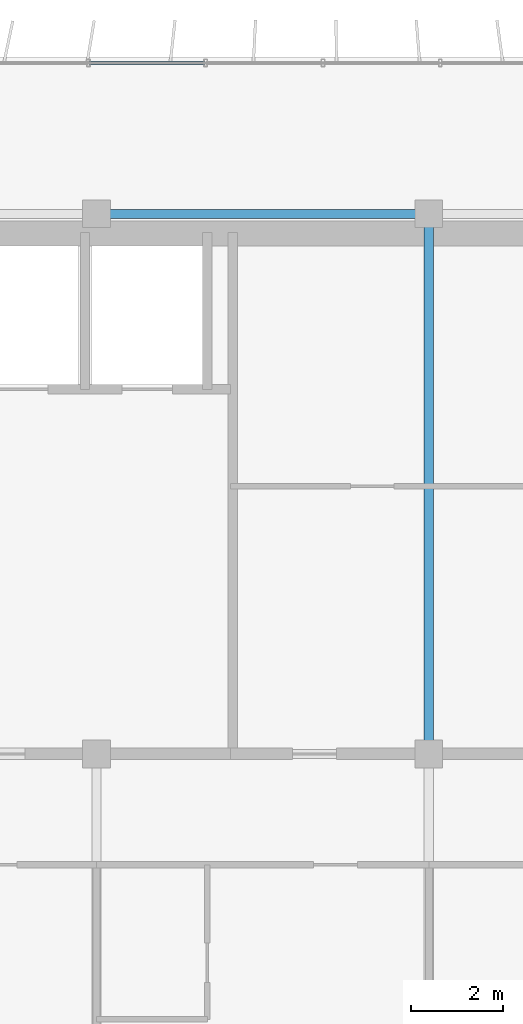
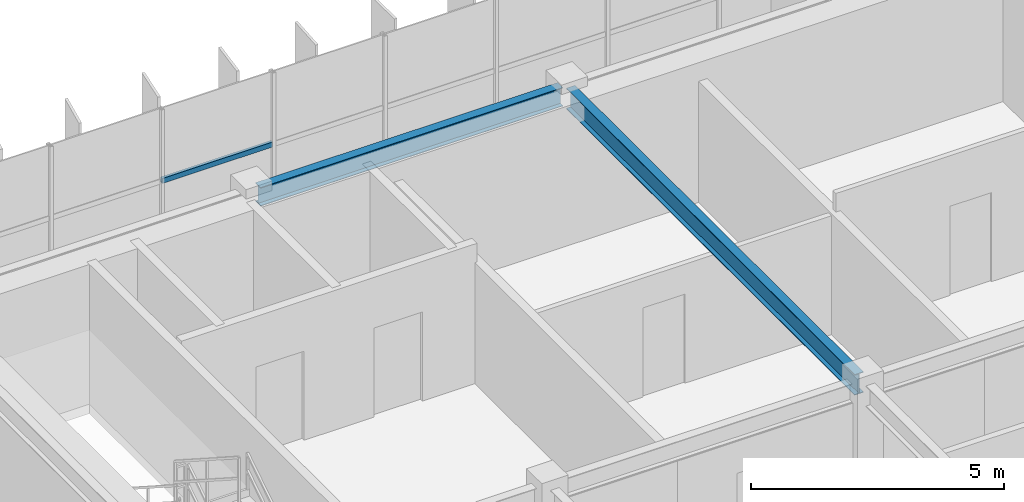
# One storey, part 7 of 23: 2 beams, 1 member, 1 element without a shape of its own.
"""IFC4 building model written with IfcOpenShell, lengths in metres."""

from ifc_helpers import new_model, si_unit, direction, frame, origin, origin_2d, place, context, subcontext, project, spatial, hollow_rectangle, i_section, extrude, source, transform, mapped, material, material_profile, profile_set, type_object, element, aggregate, save


model = new_model("IFC4")

# Units and contexts
model_context = context("Model", 3, precision=1e-05, world=origin(), true_north=direction((0.0, 1.0)))
body_context = subcontext(model_context, "Body", "Model", "MODEL_VIEW")
ifc_project = project(units=[si_unit("LENGTHUNIT", "METRE"), si_unit("AREAUNIT", "SQUARE_METRE"), si_unit("VOLUMEUNIT", "CUBIC_METRE"), si_unit("PLANEANGLEUNIT", "RADIAN"), si_unit("MASSUNIT", "GRAM", prefix="KILO")], contexts=[model_context])

# Site, building, storey
site_placement = place(None, origin())
site = spatial("IfcSite", under=ifc_project, at=site_placement, CompositionType="ELEMENT")
building_placement = place(site_placement, origin())
building = spatial("IfcBuilding", under=site, at=building_placement, Name="Trelvane Seafront Commons", CompositionType="ELEMENT")
storey_placement = place(building_placement, frame((0.0, 0.0, 263.10009765625)))
storey = spatial("IfcBuildingStorey", under=building, at=storey_placement, Name="L68", CompositionType="ELEMENT", Elevation=263.10009765625)

# Beams
ifc_material_1 = material(Name="Steel SM355 (S355)", Category="steel")
ifc_material_profile_1 = material_profile(ifc_material_1, i_section(OverallWidth=0.199951171875, OverallDepth=0.5, WebThickness=0.010009765625, FlangeThickness=0.01611328125, at=origin_2d()), Name="H-500x200x10x16")
ifc_profile_set_1 = profile_set([ifc_material_profile_1], Name="Steel SM355 (S355)")
beam_type_1 = type_object("IfcBeamType", Name="STR-BM-H500", PredefinedType="BEAM", material=ifc_profile_set_1)
shared_shape_1 = source(origin(), body_context, "Body", "SweptSolid", [
    extrude(i_section(OverallWidth=0.199951171875, OverallDepth=0.5, WebThickness=0.010009765625, FlangeThickness=0.01611328125, at=origin_2d()), origin(), (0.0, 0.0, 1.0), 11.39990234375),
])
beam_1_placement = place(storey_placement, frame((30.60009765625, 33.550048828125, 3.119873046875), z_axis=(0.0, 1.0, 0.0), x_axis=(-1.0, 0.0, 0.0)))
element("IfcBeam", 1, at=beam_1_placement, inside=storey, type_object=beam_type_1, Name="L68 Primary Girder G-40", PredefinedType="BEAM", context=body_context, shape_type="MappedRepresentation", body=[
    mapped(shared_shape_1, transform((0.0, 0.0, 0.0), x_axis=(1.0, 0.0, 0.0), y_axis=(0.0, 1.0, 0.0), z_axis=(0.0, 0.0, 1.0), scale=1.0)),
])
ifc_material_profile_2 = material_profile(ifc_material_1, i_section(OverallWidth=0.199951171875, OverallDepth=0.449951171875, WebThickness=0.009033203125, FlangeThickness=0.013916015625, at=origin_2d()), Name="H-450x200x9x14")
ifc_profile_set_2 = profile_set([ifc_material_profile_2], Name="Steel SM355 (S355)")
beam_type_2 = type_object("IfcBeamType", Name="STR-SPD-H450", PredefinedType="SPANDREL", material=ifc_profile_set_2)
shared_shape_2 = source(origin(), body_context, "Body", "SweptSolid", [
    extrude(i_section(OverallWidth=0.199951171875, OverallDepth=0.449951171875, WebThickness=0.009033203125, FlangeThickness=0.013916015625, at=origin_2d()), origin(), (0.0, 0.0, 1.0), 6.89990234375),
])
beam_2_placement = place(storey_placement, frame((23.550048828125, 45.10009765625, 3.14501953125), z_axis=(1.0, 0.0, 0.0), x_axis=(0.0, 1.0, 0.0)))
element("IfcBeam", 2, at=beam_2_placement, inside=storey, type_object=beam_type_2, Name="L68 Primary Girder G-24", PredefinedType="SPANDREL", context=body_context, shape_type="MappedRepresentation", body=[
    mapped(shared_shape_2, transform((0.0, 0.0, 0.0), x_axis=(1.0, 0.0, 0.0), y_axis=(0.0, 1.0, 0.0), z_axis=(0.0, 0.0, 1.0), scale=1.0)),
])

# Curtain wall, member
ifc_material_2 = material(Name="Anodised pale-silver aluminium", Category="aluminium")
curtain_wall_type = type_object("IfcCurtainWallType", Name="ARCH-CW5-UPTOWER", PredefinedType="NOTDEFINED", material=ifc_material_2)
curtain_wall_placement = place(storey_placement, origin())
curtain_wall = element("IfcCurtainWall", 3, at=curtain_wall_placement, inside=storey, type_object=curtain_wall_type, Name="CW-L68-0112", PredefinedType="NOTDEFINED")
ifc_material_profile_3 = material_profile(ifc_material_2, hollow_rectangle(XDim=0.070068359375, YDim=0.1201171875, WallThickness=0.00390625, at=origin_2d()), Name="TRAN-70x120x4")
ifc_profile_set_3 = profile_set([ifc_material_profile_3], Name="Anodised pale-silver aluminium")
member_type = type_object("IfcMemberType", Name="ARCH-CW-TRAN-120", PredefinedType="USERDEFINED", material=ifc_profile_set_3)
shared_shape_3 = source(origin(), body_context, "Body", "SweptSolid", [
    extrude(hollow_rectangle(XDim=0.070068359375, YDim=0.1201171875, WallThickness=0.00390625, at=origin_2d()), origin(), (0.0, 0.0, 1.0), 2.51708984375),
])
member_placement = place(storey_placement, frame((23.235595703125, 48.3701171875, 1.617919921875), z_axis=(1.0, 0.0, 0.0), x_axis=(0.0, 1.0, 0.0)))
member = element("IfcMember", 4, at=member_placement, type_object=member_type, Name="CW-L68-0112-T03", ObjectType="TRANSOM", PredefinedType="USERDEFINED", context=body_context, shape_type="MappedRepresentation", body=[
    mapped(shared_shape_3, transform((0.0, 0.0, 0.0), x_axis=(1.0, 0.0, 0.0), y_axis=(0.0, 1.0, 0.0), z_axis=(0.0, 0.0, 1.0), scale=1.0)),
])
aggregate(curtain_wall, [member])

save(model, "model.ifc")
